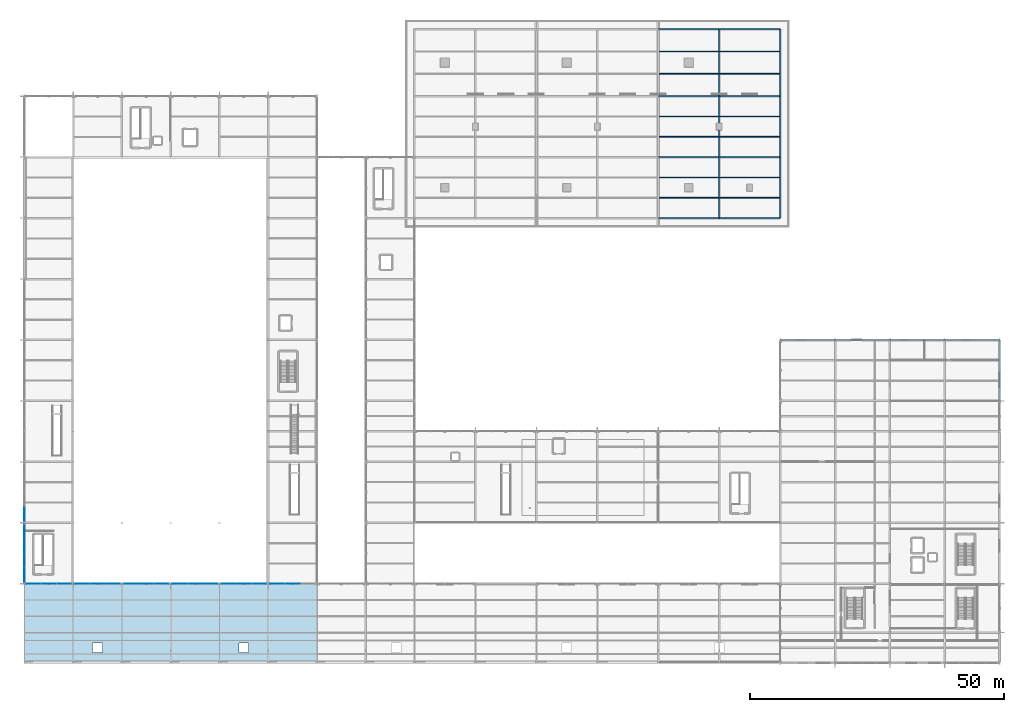
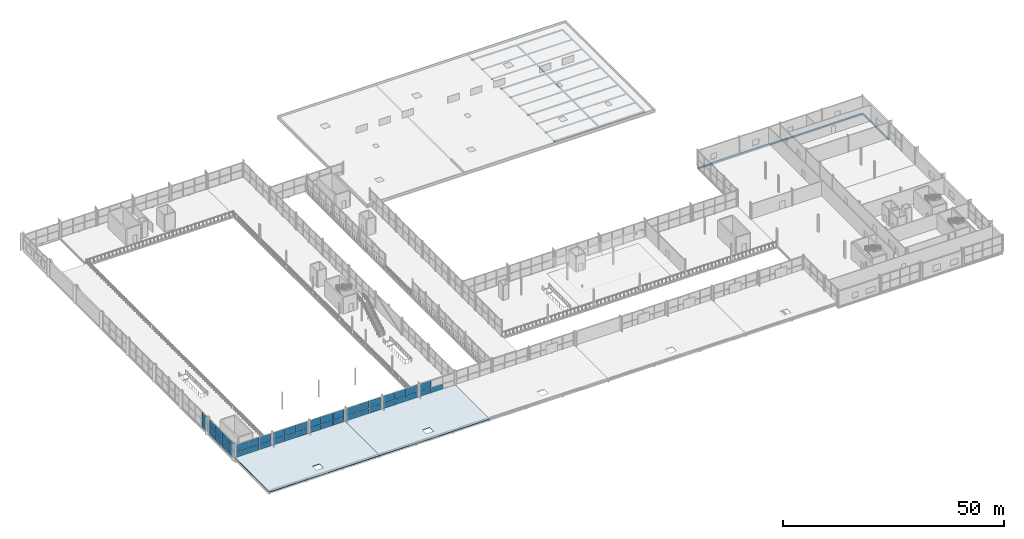
# One storey, part 119 of 159: 43 plates, 31 beams, 2 slabs, 8 elements without a shape of their own.
"""IFC4 building model written with IfcOpenShell, lengths in metres."""

from ifc_helpers import new_model, si_unit, direction, frame, origin, origin_2d, place, context, subcontext, project, spatial, polyline, rectangle, i_section, outline, extrude, material, layer, layer_set, material_profile, profile_set, type_object, element, aggregate, save


model = new_model("IFC4")

# Units and contexts
model_context = context("Model", 3, precision=1e-05, world=origin(), true_north=direction((0.0, 1.0)))
body_context = subcontext(model_context, "Body", "Model", "MODEL_VIEW")
ifc_project = project(units=[si_unit("LENGTHUNIT", "METRE"), si_unit("AREAUNIT", "SQUARE_METRE"), si_unit("VOLUMEUNIT", "CUBIC_METRE"), si_unit("PLANEANGLEUNIT", "RADIAN"), si_unit("MASSUNIT", "GRAM", prefix="KILO")], contexts=[model_context])

# Site, building, storey
site_placement = place(None, origin())
site = spatial("IfcSite", under=ifc_project, at=site_placement, CompositionType="ELEMENT")
building_placement = place(site_placement, origin())
building = spatial("IfcBuilding", under=site, at=building_placement, Name="Merenkruunu Market Hall", CompositionType="ELEMENT")
storey_placement = place(building_placement, frame((0.0, 0.0, 5.39990234375)))
storey = spatial("IfcBuildingStorey", under=building, at=storey_placement, Name="L01", CompositionType="ELEMENT", Elevation=5.39990234375)

# Beams
ifc_material_1 = material(Name="Steel S355J2", Category="steel")
ifc_material_profile_1 = material_profile(ifc_material_1, i_section(OverallWidth=0.300048828125, OverallDepth=0.449951171875, WebThickness=0.013916015625, FlangeThickness=0.02587890625, FilletRadius=0.027099609375, at=origin_2d()), Name="HEB 450")
ifc_profile_set_1 = profile_set([ifc_material_profile_1], Name="Steel S355J2")
beam_type_1 = type_object("IfcBeamType", Name="Primary Floor Girder B03", PredefinedType="BEAM", material=ifc_profile_set_1)
beam_1_placement = place(storey_placement, frame((148.800048828125, 63.60009765625, -0.5048828125), z_axis=(1.0, 0.0, 0.0), x_axis=(0.0, 1.0, 0.0)))
element("IfcBeam", 1, at=beam_1_placement, inside=storey, type_object=beam_type_1, Name="BM-L01-B03-0529", PredefinedType="BEAM", context=body_context, shape_type="SweptSolid", body=[
    extrude(i_section(OverallWidth=0.300048828125, OverallDepth=0.449951171875, WebThickness=0.013916015625, FlangeThickness=0.02587890625, FilletRadius=0.027099609375, at=origin_2d()), origin(), (0.0, 0.0, 1.0), 10.800048828125),
])
beam_2_placement = place(storey_placement, frame((159.60009765625, 63.60009765625, -0.5048828125), z_axis=(1.0, 0.0, 0.0), x_axis=(0.0, 1.0, 0.0)))
element("IfcBeam", 2, at=beam_2_placement, inside=storey, type_object=beam_type_1, Name="BM-L01-B03-0530", PredefinedType="BEAM", context=body_context, shape_type="SweptSolid", body=[
    extrude(i_section(OverallWidth=0.300048828125, OverallDepth=0.449951171875, WebThickness=0.013916015625, FlangeThickness=0.02587890625, FilletRadius=0.027099609375, at=origin_2d()), origin(), (0.0, 0.0, 1.0), 10.7998046875),
])
for number, where, z_axis, x_axis, name in (
    (3, (170.39990234375, 63.60009765625, -0.5048828125), (1.0, 0.0, 0.0), (0.0, 1.0, 0.0), "BM-L01-B03-0531"),
    (4, (181.199951171875, 63.60009765625, -0.5048828125), (1.0, 0.0, 0.0), (0.0, 1.0, 0.0), "BM-L01-B03-0532"),
):
    element("IfcBeam", number, at=place(storey_placement, frame(where, z_axis=z_axis, x_axis=x_axis)), inside=storey, type_object=beam_type_1, Name=name, PredefinedType="BEAM", context=body_context, shape_type="SweptSolid", body=[
        extrude(i_section(OverallWidth=0.300048828125, OverallDepth=0.449951171875, WebThickness=0.013916015625, FlangeThickness=0.02587890625, FilletRadius=0.027099609375, at=origin_2d()), origin(), (0.0, 0.0, 1.0), 10.800048828125),
    ])
ifc_material_profile_2 = material_profile(ifc_material_1, i_section(OverallWidth=0.300048828125, OverallDepth=0.360107421875, WebThickness=0.012451171875, FlangeThickness=0.0224609375, FilletRadius=0.027099609375, at=origin_2d()), Name="HEB 360")
ifc_profile_set_2 = profile_set([ifc_material_profile_2], Name="Steel S355J2")
beam_type_2 = type_object("IfcBeamType", Name="Primary Floor Girder B04", PredefinedType="BEAM", material=ifc_profile_set_2)
for number, where, z_axis, x_axis, name in (
    (5, (124.800048828125, 87.60009765625, 0.72021484375), (1.0, 0.0, 0.0), (0.0, 1.0, 0.0), "BM-L01-B04-0965"),
    (6, (136.800048828125, 87.60009765625, 0.72021484375), (1.0, 0.0, 0.0), (0.0, 1.0, 0.0), "BM-L01-B04-0966"),
    (7, (124.800048828125, 99.60009765625, 0.72021484375), (1.0, 0.0, 0.0), (0.0, 1.0, 0.0), "BM-L01-B04-0971"),
    (8, (136.800048828125, 99.60009765625, 0.72021484375), (1.0, 0.0, 0.0), (0.0, 1.0, 0.0), "BM-L01-B04-0972"),
    (9, (124.800048828125, 111.60009765625, 0.72021484375), (1.0, 0.0, 0.0), (0.0, 1.0, 0.0), "BM-L01-B04-0977"),
    (10, (136.800048828125, 111.60009765625, 0.72021484375), (1.0, 0.0, 0.0), (0.0, 1.0, 0.0), "BM-L01-B04-0978"),
    (11, (124.800048828125, 124.800048828125, 0.72021484375), (1.0, 0.0, 0.0), (0.0, 1.0, 0.0), "BM-L01-B04-0983"),
    (12, (136.800048828125, 124.800048828125, 0.72021484375), (1.0, 0.0, 0.0), (0.0, 1.0, 0.0), "BM-L01-B04-0984"),
    (13, (136.800048828125, 87.60009765625, 0.72021484375), (0.0, 1.0, 0.0), (-1.0, 0.0, 0.0), "BM-L01-B04-1000"),
    (14, (136.800048828125, 99.60009765625, 0.72021484375), (0.0, 1.0, 0.0), (-1.0, 0.0, 0.0), "BM-L01-B04-1001"),
):
    element("IfcBeam", number, at=place(storey_placement, frame(where, z_axis=z_axis, x_axis=x_axis)), inside=storey, type_object=beam_type_2, Name=name, PredefinedType="BEAM", context=body_context, shape_type="SweptSolid", body=[
        extrude(i_section(OverallWidth=0.300048828125, OverallDepth=0.360107421875, WebThickness=0.012451171875, FlangeThickness=0.0224609375, FilletRadius=0.027099609375, at=origin_2d()), origin(), (0.0, 0.0, 1.0), 12.0),
    ])
beam_3_placement = place(storey_placement, frame((136.800048828125, 111.60009765625, 0.72021484375), z_axis=(0.0, 1.0, 0.0), x_axis=(-1.0, 0.0, 0.0)))
element("IfcBeam", 15, at=beam_3_placement, inside=storey, type_object=beam_type_2, Name="BM-L01-B04-1002", PredefinedType="BEAM", context=body_context, shape_type="SweptSolid", body=[
    extrude(i_section(OverallWidth=0.300048828125, OverallDepth=0.360107421875, WebThickness=0.012451171875, FlangeThickness=0.0224609375, FilletRadius=0.027099609375, at=origin_2d()), origin(), (0.0, 0.0, 1.0), 13.199951171875),
])
for number, where, z_axis, x_axis, name in (
    (16, (148.800048828125, 87.60009765625, 0.72021484375), (0.0, 1.0, 0.0), (-1.0, 0.0, 0.0), "BM-L01-B04-1003"),
    (17, (148.800048828125, 99.60009765625, 0.72021484375), (0.0, 1.0, 0.0), (-1.0, 0.0, 0.0), "BM-L01-B04-1004"),
):
    element("IfcBeam", number, at=place(storey_placement, frame(where, z_axis=z_axis, x_axis=x_axis)), inside=storey, type_object=beam_type_2, Name=name, PredefinedType="BEAM", context=body_context, shape_type="SweptSolid", body=[
        extrude(i_section(OverallWidth=0.300048828125, OverallDepth=0.360107421875, WebThickness=0.012451171875, FlangeThickness=0.0224609375, FilletRadius=0.027099609375, at=origin_2d()), origin(), (0.0, 0.0, 1.0), 12.0),
    ])
beam_4_placement = place(storey_placement, frame((148.800048828125, 111.60009765625, 0.72021484375), z_axis=(0.0, 1.0, 0.0), x_axis=(-1.0, 0.0, 0.0)))
element("IfcBeam", 18, at=beam_4_placement, inside=storey, type_object=beam_type_2, Name="BM-L01-B04-1005", PredefinedType="BEAM", context=body_context, shape_type="SweptSolid", body=[
    extrude(i_section(OverallWidth=0.300048828125, OverallDepth=0.360107421875, WebThickness=0.012451171875, FlangeThickness=0.0224609375, FilletRadius=0.027099609375, at=origin_2d()), origin(), (0.0, 0.0, 1.0), 13.199951171875),
])
ifc_material_profile_3 = material_profile(ifc_material_1, i_section(OverallWidth=0.300048828125, OverallDepth=0.35009765625, WebThickness=0.010009765625, FlangeThickness=0.017578125, FilletRadius=0.027099609375, at=origin_2d()), Name="HEA 360")
ifc_profile_set_3 = profile_set([ifc_material_profile_3], Name="Steel S355J2")
beam_type_3 = type_object("IfcBeamType", Name="Primary Floor Girder B08", PredefinedType="BEAM", material=ifc_profile_set_3)
beam_5_placement = place(storey_placement, frame((192.0, 51.60009765625, -0.454833984375), z_axis=(0.0, 1.0, 0.0), x_axis=(-1.0, 0.0, 0.0)))
element("IfcBeam", 19, at=beam_5_placement, inside=storey, type_object=beam_type_3, Name="BM-L01-B08-0649", PredefinedType="BEAM", context=body_context, shape_type="SweptSolid", body=[
    extrude(i_section(OverallWidth=0.300048828125, OverallDepth=0.35009765625, WebThickness=0.010009765625, FlangeThickness=0.017578125, FilletRadius=0.027099609375, at=origin_2d()), origin(), (0.0, 0.0, 1.0), 12.0),
])
ifc_material_profile_4 = material_profile(ifc_material_1, i_section(OverallWidth=0.169921875, OverallDepth=0.360107421875, WebThickness=0.008056640625, FlangeThickness=0.0126953125, FilletRadius=0.01806640625, at=origin_2d()), Name="IPE 360")
ifc_profile_set_4 = profile_set([ifc_material_profile_4], Name="Steel S355J2")
beam_type_4 = type_object("IfcBeamType", Name="Secondary Floor Joist J03", PredefinedType="JOIST", material=ifc_profile_set_4)
for number, where, z_axis, x_axis, name in (
    (20, (124.952880859375, 91.60009765625, 0.72021484375), (1.0, 0.0, 0.0), (0.0, 1.0, 0.0), "BM-L01-J03-1030"),
    (21, (124.952880859375, 95.60009765625, 0.72021484375), (1.0, 0.0, 0.0), (0.0, 1.0, 0.0), "BM-L01-J03-1031"),
    (22, (124.952880859375, 103.60009765625, 0.72021484375), (1.0, 0.0, 0.0), (0.0, 1.0, 0.0), "BM-L01-J03-1032"),
    (23, (124.952880859375, 107.60009765625, 0.72021484375), (1.0, 0.0, 0.0), (0.0, 1.0, 0.0), "BM-L01-J03-1033"),
    (24, (124.952880859375, 116.0, 0.72021484375), (1.0, 0.0, 0.0), (0.0, 1.0, 0.0), "BM-L01-J03-1034"),
    (25, (124.952880859375, 120.39990234375, 0.72021484375), (1.0, 0.0, 0.0), (0.0, 1.0, 0.0), "BM-L01-J03-1035"),
    (26, (136.952880859375, 91.60009765625, 0.72021484375), (1.0, 0.0, 0.0), (0.0, 1.0, 0.0), "BM-L01-J03-1036"),
    (27, (136.952880859375, 95.60009765625, 0.72021484375), (1.0, 0.0, 0.0), (0.0, 1.0, 0.0), "BM-L01-J03-1037"),
    (28, (136.952880859375, 103.60009765625, 0.72021484375), (1.0, 0.0, 0.0), (0.0, 1.0, 0.0), "BM-L01-J03-1038"),
    (29, (136.952880859375, 107.60009765625, 0.72021484375), (1.0, 0.0, 0.0), (0.0, 1.0, 0.0), "BM-L01-J03-1039"),
    (30, (136.952880859375, 116.0, 0.72021484375), (1.0, 0.0, 0.0), (0.0, 1.0, 0.0), "BM-L01-J03-1040"),
    (31, (136.952880859375, 120.39990234375, 0.72021484375), (1.0, 0.0, 0.0), (0.0, 1.0, 0.0), "BM-L01-J03-1041"),
):
    element("IfcBeam", number, at=place(storey_placement, frame(where, z_axis=z_axis, x_axis=x_axis)), inside=storey, type_object=beam_type_4, Name=name, PredefinedType="JOIST", context=body_context, shape_type="SweptSolid", body=[
        extrude(i_section(OverallWidth=0.169921875, OverallDepth=0.360107421875, WebThickness=0.008056640625, FlangeThickness=0.0126953125, FilletRadius=0.01806640625, at=origin_2d()), origin(), (0.0, 0.0, 1.0), 11.694091796875),
    ])

# Curtain wall, plates
ifc_material_2 = material(Name="Powder-coated aluminium", Category="aluminium")
curtain_wall_type_1 = type_object("IfcCurtainWallType", Name="Glazed Curtain Wall CW02", PredefinedType="USERDEFINED", material=ifc_material_2)
curtain_wall_1_placement = place(storey_placement, origin())
curtain_wall_1 = element("IfcCurtainWall", 32, at=curtain_wall_1_placement, inside=storey, type_object=curtain_wall_type_1, Name="CW-L01-CWM02-002", ObjectType="GLAZED_FACADE", PredefinedType="USERDEFINED")
ifc_material_3 = material(Name="Triple low-E insulated glass", Category="glass")
ifc_layer_1 = layer(ifc_material_3, 0.035888671875)
ifc_layer_set_1 = layer_set([ifc_layer_1], Name="Triple low-E insulated glass")
plate_type = type_object("IfcPlateType", Name="Curtain Wall Glazing Panel CWP02", PredefinedType="CURTAIN_PANEL", material=ifc_layer_set_1)
plate_1_placement = place(storey_placement, frame((0.0, 17.324951171875, 0.06005859375), z_axis=(0.0, 0.0, 1.0), x_axis=(0.0, 1.0, 0.0)))
plate_1 = element("IfcPlate", 33, at=plate_1_placement, type_object=plate_type, Name="CW02 panel 1.1", PredefinedType="CURTAIN_PANEL", context=body_context, shape_type="SweptSolid", body=[
    extrude(rectangle(XDim=2.77001953125, YDim=0.035888671875, at=origin_2d()), origin(), (0.0, 0.0, 1.0), 2.034912109375),
])
plate_2_placement = place(storey_placement, frame((0.0, 17.324951171875, 2.1552734375), z_axis=(0.0, 0.0, 1.0), x_axis=(0.0, 1.0, 0.0)))
plate_2 = element("IfcPlate", 34, at=plate_2_placement, type_object=plate_type, Name="CW02 panel 1.2", PredefinedType="CURTAIN_PANEL", context=body_context, shape_type="SweptSolid", body=[
    extrude(rectangle(XDim=2.77001953125, YDim=0.035888671875, at=origin_2d()), origin(), (0.0, 0.0, 1.0), 2.034912109375),
])
plate_3_placement = place(storey_placement, frame((0.0, 20.169921875, 0.06005859375), z_axis=(0.0, 0.0, 1.0), x_axis=(0.0, 1.0, 0.0)))
plate_3 = element("IfcPlate", 35, at=plate_3_placement, type_object=plate_type, Name="CW02 panel 2.1", PredefinedType="CURTAIN_PANEL", context=body_context, shape_type="SweptSolid", body=[
    extrude(rectangle(XDim=2.800048828125, YDim=0.035888671875, at=origin_2d()), origin(), (0.0, 0.0, 1.0), 2.034912109375),
])
plate_4_placement = place(storey_placement, frame((0.0, 20.169921875, 2.1552734375), z_axis=(0.0, 0.0, 1.0), x_axis=(0.0, 1.0, 0.0)))
plate_4 = element("IfcPlate", 36, at=plate_4_placement, type_object=plate_type, Name="CW02 panel 2.2", PredefinedType="CURTAIN_PANEL", context=body_context, shape_type="SweptSolid", body=[
    extrude(rectangle(XDim=2.800048828125, YDim=0.035888671875, at=origin_2d()), origin(), (0.0, 0.0, 1.0), 2.034912109375),
])
plate_5_placement = place(storey_placement, frame((0.0, 23.030029296875, 0.06005859375), z_axis=(0.0, 0.0, 1.0), x_axis=(0.0, 1.0, 0.0)))
plate_5 = element("IfcPlate", 37, at=plate_5_placement, type_object=plate_type, Name="CW02 panel 3.1", PredefinedType="CURTAIN_PANEL", context=body_context, shape_type="SweptSolid", body=[
    extrude(rectangle(XDim=2.800048828125, YDim=0.035888671875, at=origin_2d()), origin(), (0.0, 0.0, 1.0), 2.034912109375),
])
plate_6_placement = place(storey_placement, frame((0.0, 23.030029296875, 2.1552734375), z_axis=(0.0, 0.0, 1.0), x_axis=(0.0, 1.0, 0.0)))
plate_6 = element("IfcPlate", 38, at=plate_6_placement, type_object=plate_type, Name="CW02 panel 3.2", PredefinedType="CURTAIN_PANEL", context=body_context, shape_type="SweptSolid", body=[
    extrude(rectangle(XDim=2.800048828125, YDim=0.035888671875, at=origin_2d()), origin(), (0.0, 0.0, 1.0), 2.034912109375),
])
plate_7_placement = place(storey_placement, frame((0.0, 25.875, 0.06005859375), z_axis=(0.0, 0.0, 1.0), x_axis=(0.0, 1.0, 0.0)))
plate_7 = element("IfcPlate", 39, at=plate_7_placement, type_object=plate_type, Name="CW02 panel 4.1", PredefinedType="CURTAIN_PANEL", context=body_context, shape_type="SweptSolid", body=[
    extrude(rectangle(XDim=2.77001953125, YDim=0.035888671875, at=origin_2d()), origin(), (0.0, 0.0, 1.0), 2.034912109375),
])
plate_8_placement = place(storey_placement, frame((0.0, 25.875, 2.1552734375), z_axis=(0.0, 0.0, 1.0), x_axis=(0.0, 1.0, 0.0)))
plate_8 = element("IfcPlate", 40, at=plate_8_placement, type_object=plate_type, Name="CW02 panel 4.2", PredefinedType="CURTAIN_PANEL", context=body_context, shape_type="SweptSolid", body=[
    extrude(rectangle(XDim=2.77001953125, YDim=0.035888671875, at=origin_2d()), origin(), (0.0, 0.0, 1.0), 2.034912109375),
])
aggregate(curtain_wall_1, [plate_1, plate_2, plate_3, plate_4, plate_5, plate_6, plate_7, plate_8])

curtain_wall_2_placement = place(storey_placement, origin())
curtain_wall_2 = element("IfcCurtainWall", 41, at=curtain_wall_2_placement, inside=storey, type_object=curtain_wall_type_1, Name="CW-L01-CWM02-005", ObjectType="GLAZED_FACADE", PredefinedType="USERDEFINED")
plate_9_placement = place(storey_placement, frame((0.0, 29.324951171875, 0.06005859375), z_axis=(0.0, 0.0, 1.0), x_axis=(0.0, 1.0, 0.0)))
plate_9 = element("IfcPlate", 42, at=plate_9_placement, type_object=plate_type, Name="CW02 panel 1.1", PredefinedType="CURTAIN_PANEL", context=body_context, shape_type="SweptSolid", body=[
    extrude(rectangle(XDim=2.77001953125, YDim=0.035888671875, at=origin_2d()), origin(), (0.0, 0.0, 1.0), 2.034912109375),
])
plate_10_placement = place(storey_placement, frame((0.0, 29.324951171875, 2.1552734375), z_axis=(0.0, 0.0, 1.0), x_axis=(0.0, 1.0, 0.0)))
plate_10 = element("IfcPlate", 43, at=plate_10_placement, type_object=plate_type, Name="CW02 panel 1.2", PredefinedType="CURTAIN_PANEL", context=body_context, shape_type="SweptSolid", body=[
    extrude(rectangle(XDim=2.77001953125, YDim=0.035888671875, at=origin_2d()), origin(), (0.0, 0.0, 1.0), 2.034912109375),
])
aggregate(curtain_wall_2, [plate_9, plate_10])

curtain_wall_type_2 = type_object("IfcCurtainWallType", Name="Glazed Curtain Wall CW09", PredefinedType="USERDEFINED", material=ifc_material_2)
curtain_wall_3_placement = place(storey_placement, origin())
curtain_wall_3 = element("IfcCurtainWall", 44, at=curtain_wall_3_placement, inside=storey, type_object=curtain_wall_type_2, Name="CW-L01-CWM02-020", ObjectType="GLAZED_FACADE", PredefinedType="USERDEFINED")
plate_11_placement = place(storey_placement, frame((7.79833984375, 15.60009765625, 0.06005859375), z_axis=(0.0, 0.0, 1.0), x_axis=(-1.0, 0.0, 0.0)))
plate_11 = element("IfcPlate", 45, at=plate_11_placement, type_object=plate_type, Name="CW09 panel 1.1", PredefinedType="CURTAIN_PANEL", context=body_context, shape_type="SweptSolid", body=[
    extrude(rectangle(XDim=2.92333984375, YDim=0.035888671875, at=origin_2d()), origin(), (0.0, 0.0, 1.0), 1.9599609375),
])
plate_12_placement = place(storey_placement, frame((7.79833984375, 15.60009765625, 2.080078125), z_axis=(0.0, 0.0, 1.0), x_axis=(-1.0, 0.0, 0.0)))
plate_12 = element("IfcPlate", 46, at=plate_12_placement, type_object=plate_type, Name="CW09 panel 1.2", PredefinedType="CURTAIN_PANEL", context=body_context, shape_type="SweptSolid", body=[
    extrude(rectangle(XDim=2.92333984375, YDim=0.035888671875, at=origin_2d()), origin(), (0.0, 0.0, 1.0), 1.9599609375),
])
plate_13_placement = place(storey_placement, frame((4.800048828125, 15.60009765625, 0.06005859375), z_axis=(0.0, 0.0, 1.0), x_axis=(-1.0, 0.0, 0.0)))
plate_13 = element("IfcPlate", 47, at=plate_13_placement, type_object=plate_type, Name="CW09 panel 2.1", PredefinedType="CURTAIN_PANEL", context=body_context, shape_type="SweptSolid", body=[
    extrude(rectangle(XDim=2.953369140625, YDim=0.035888671875, at=origin_2d()), origin(), (0.0, 0.0, 1.0), 1.9599609375),
])
plate_14_placement = place(storey_placement, frame((4.800048828125, 15.60009765625, 2.080078125), z_axis=(0.0, 0.0, 1.0), x_axis=(-1.0, 0.0, 0.0)))
plate_14 = element("IfcPlate", 48, at=plate_14_placement, type_object=plate_type, Name="CW09 panel 2.2", PredefinedType="CURTAIN_PANEL", context=body_context, shape_type="SweptSolid", body=[
    extrude(rectangle(XDim=2.953369140625, YDim=0.035888671875, at=origin_2d()), origin(), (0.0, 0.0, 1.0), 1.9599609375),
])
plate_15_placement = place(storey_placement, frame((1.8017578125, 15.60009765625, 0.06005859375), z_axis=(0.0, 0.0, 1.0), x_axis=(-1.0, 0.0, 0.0)))
plate_15 = element("IfcPlate", 49, at=plate_15_placement, type_object=plate_type, Name="CW09 panel 3.1", PredefinedType="CURTAIN_PANEL", context=body_context, shape_type="SweptSolid", body=[
    extrude(rectangle(XDim=2.92333984375, YDim=0.035888671875, at=origin_2d()), origin(), (0.0, 0.0, 1.0), 1.9599609375),
])
plate_16_placement = place(storey_placement, frame((1.8017578125, 15.60009765625, 2.080078125), z_axis=(0.0, 0.0, 1.0), x_axis=(-1.0, 0.0, 0.0)))
plate_16 = element("IfcPlate", 50, at=plate_16_placement, type_object=plate_type, Name="CW09 panel 3.2", PredefinedType="CURTAIN_PANEL", context=body_context, shape_type="SweptSolid", body=[
    extrude(rectangle(XDim=2.92333984375, YDim=0.035888671875, at=origin_2d()), origin(), (0.0, 0.0, 1.0), 1.9599609375),
])
aggregate(curtain_wall_3, [plate_11, plate_12, plate_13, plate_14, plate_15, plate_16])

curtain_wall_4_placement = place(storey_placement, origin())
curtain_wall_4 = element("IfcCurtainWall", 51, at=curtain_wall_4_placement, inside=storey, type_object=curtain_wall_type_2, Name="CW-L01-CWM02-023", ObjectType="GLAZED_FACADE", PredefinedType="USERDEFINED")
plate_17_placement = place(storey_placement, frame((17.3984375, 15.60009765625, 0.06005859375), z_axis=(0.0, 0.0, 1.0), x_axis=(-1.0, 0.0, 0.0)))
plate_17 = element("IfcPlate", 52, at=plate_17_placement, type_object=plate_type, Name="CW09 panel 1.1", PredefinedType="CURTAIN_PANEL", context=body_context, shape_type="SweptSolid", body=[
    extrude(rectangle(XDim=2.92333984375, YDim=0.035888671875, at=origin_2d()), origin(), (0.0, 0.0, 1.0), 1.9599609375),
])
plate_18_placement = place(storey_placement, frame((17.3984375, 15.60009765625, 2.080078125), z_axis=(0.0, 0.0, 1.0), x_axis=(-1.0, 0.0, 0.0)))
plate_18 = element("IfcPlate", 53, at=plate_18_placement, type_object=plate_type, Name="CW09 panel 1.2", PredefinedType="CURTAIN_PANEL", context=body_context, shape_type="SweptSolid", body=[
    extrude(rectangle(XDim=2.92333984375, YDim=0.035888671875, at=origin_2d()), origin(), (0.0, 0.0, 1.0), 1.9599609375),
])
plate_19_placement = place(storey_placement, frame((14.39990234375, 15.60009765625, 0.06005859375), z_axis=(0.0, 0.0, 1.0), x_axis=(-1.0, 0.0, 0.0)))
plate_19 = element("IfcPlate", 54, at=plate_19_placement, type_object=plate_type, Name="CW09 panel 2.1", PredefinedType="CURTAIN_PANEL", context=body_context, shape_type="SweptSolid", body=[
    extrude(rectangle(XDim=2.953369140625, YDim=0.035888671875, at=origin_2d()), origin(), (0.0, 0.0, 1.0), 1.9599609375),
])
plate_20_placement = place(storey_placement, frame((14.39990234375, 15.60009765625, 2.080078125), z_axis=(0.0, 0.0, 1.0), x_axis=(-1.0, 0.0, 0.0)))
plate_20 = element("IfcPlate", 55, at=plate_20_placement, type_object=plate_type, Name="CW09 panel 2.2", PredefinedType="CURTAIN_PANEL", context=body_context, shape_type="SweptSolid", body=[
    extrude(rectangle(XDim=2.953369140625, YDim=0.035888671875, at=origin_2d()), origin(), (0.0, 0.0, 1.0), 1.9599609375),
])
plate_21_placement = place(storey_placement, frame((11.401611328125, 15.60009765625, 0.06005859375), z_axis=(0.0, 0.0, 1.0), x_axis=(-1.0, 0.0, 0.0)))
plate_21 = element("IfcPlate", 56, at=plate_21_placement, type_object=plate_type, Name="CW09 panel 3.1", PredefinedType="CURTAIN_PANEL", context=body_context, shape_type="SweptSolid", body=[
    extrude(rectangle(XDim=2.92333984375, YDim=0.035888671875, at=origin_2d()), origin(), (0.0, 0.0, 1.0), 1.9599609375),
])
plate_22_placement = place(storey_placement, frame((11.401611328125, 15.60009765625, 2.080078125), z_axis=(0.0, 0.0, 1.0), x_axis=(-1.0, 0.0, 0.0)))
plate_22 = element("IfcPlate", 57, at=plate_22_placement, type_object=plate_type, Name="CW09 panel 3.2", PredefinedType="CURTAIN_PANEL", context=body_context, shape_type="SweptSolid", body=[
    extrude(rectangle(XDim=2.92333984375, YDim=0.035888671875, at=origin_2d()), origin(), (0.0, 0.0, 1.0), 1.9599609375),
])
aggregate(curtain_wall_4, [plate_17, plate_18, plate_19, plate_20, plate_21, plate_22])

curtain_wall_5_placement = place(storey_placement, origin())
curtain_wall_5 = element("IfcCurtainWall", 58, at=curtain_wall_5_placement, inside=storey, type_object=curtain_wall_type_2, Name="CW-L01-CWM02-026", ObjectType="GLAZED_FACADE", PredefinedType="USERDEFINED")
plate_23_placement = place(storey_placement, frame((26.998291015625, 15.60009765625, 0.06005859375), z_axis=(0.0, 0.0, 1.0), x_axis=(-1.0, 0.0, 0.0)))
plate_23 = element("IfcPlate", 59, at=plate_23_placement, type_object=plate_type, Name="CW09 panel 1.1", PredefinedType="CURTAIN_PANEL", context=body_context, shape_type="SweptSolid", body=[
    extrude(rectangle(XDim=2.92333984375, YDim=0.035888671875, at=origin_2d()), origin(), (0.0, 0.0, 1.0), 1.9599609375),
])
plate_24_placement = place(storey_placement, frame((26.998291015625, 15.60009765625, 2.080078125), z_axis=(0.0, 0.0, 1.0), x_axis=(-1.0, 0.0, 0.0)))
plate_24 = element("IfcPlate", 60, at=plate_24_placement, type_object=plate_type, Name="CW09 panel 1.2", PredefinedType="CURTAIN_PANEL", context=body_context, shape_type="SweptSolid", body=[
    extrude(rectangle(XDim=2.92333984375, YDim=0.035888671875, at=origin_2d()), origin(), (0.0, 0.0, 1.0), 1.9599609375),
])
plate_25_placement = place(storey_placement, frame((24.0, 15.60009765625, 0.06005859375), z_axis=(0.0, 0.0, 1.0), x_axis=(-1.0, 0.0, 0.0)))
plate_25 = element("IfcPlate", 61, at=plate_25_placement, type_object=plate_type, Name="CW09 panel 2.1", PredefinedType="CURTAIN_PANEL", context=body_context, shape_type="SweptSolid", body=[
    extrude(rectangle(XDim=2.953369140625, YDim=0.035888671875, at=origin_2d()), origin(), (0.0, 0.0, 1.0), 1.9599609375),
])
plate_26_placement = place(storey_placement, frame((24.0, 15.60009765625, 2.080078125), z_axis=(0.0, 0.0, 1.0), x_axis=(-1.0, 0.0, 0.0)))
plate_26 = element("IfcPlate", 62, at=plate_26_placement, type_object=plate_type, Name="CW09 panel 2.2", PredefinedType="CURTAIN_PANEL", context=body_context, shape_type="SweptSolid", body=[
    extrude(rectangle(XDim=2.953369140625, YDim=0.035888671875, at=origin_2d()), origin(), (0.0, 0.0, 1.0), 1.9599609375),
])
plate_27_placement = place(storey_placement, frame((21.001708984375, 15.60009765625, 0.06005859375), z_axis=(0.0, 0.0, 1.0), x_axis=(-1.0, 0.0, 0.0)))
plate_27 = element("IfcPlate", 63, at=plate_27_placement, type_object=plate_type, Name="CW09 panel 3.1", PredefinedType="CURTAIN_PANEL", context=body_context, shape_type="SweptSolid", body=[
    extrude(rectangle(XDim=2.92333984375, YDim=0.035888671875, at=origin_2d()), origin(), (0.0, 0.0, 1.0), 1.9599609375),
])
plate_28_placement = place(storey_placement, frame((21.001708984375, 15.60009765625, 2.080078125), z_axis=(0.0, 0.0, 1.0), x_axis=(-1.0, 0.0, 0.0)))
plate_28 = element("IfcPlate", 64, at=plate_28_placement, type_object=plate_type, Name="CW09 panel 3.2", PredefinedType="CURTAIN_PANEL", context=body_context, shape_type="SweptSolid", body=[
    extrude(rectangle(XDim=2.92333984375, YDim=0.035888671875, at=origin_2d()), origin(), (0.0, 0.0, 1.0), 1.9599609375),
])
aggregate(curtain_wall_5, [plate_23, plate_24, plate_25, plate_26, plate_27, plate_28])

curtain_wall_6_placement = place(storey_placement, origin())
curtain_wall_6 = element("IfcCurtainWall", 65, at=curtain_wall_6_placement, inside=storey, type_object=curtain_wall_type_2, Name="CW-L01-CWM02-029", ObjectType="GLAZED_FACADE", PredefinedType="USERDEFINED")
plate_29_placement = place(storey_placement, frame((36.598388671875, 15.60009765625, 0.06005859375), z_axis=(0.0, 0.0, 1.0), x_axis=(-1.0, 0.0, 0.0)))
plate_29 = element("IfcPlate", 66, at=plate_29_placement, type_object=plate_type, Name="CW09 panel 1.1", PredefinedType="CURTAIN_PANEL", context=body_context, shape_type="SweptSolid", body=[
    extrude(rectangle(XDim=2.92333984375, YDim=0.035888671875, at=origin_2d()), origin(), (0.0, 0.0, 1.0), 1.9599609375),
])
plate_30_placement = place(storey_placement, frame((36.598388671875, 15.60009765625, 2.080078125), z_axis=(0.0, 0.0, 1.0), x_axis=(-1.0, 0.0, 0.0)))
plate_30 = element("IfcPlate", 67, at=plate_30_placement, type_object=plate_type, Name="CW09 panel 1.2", PredefinedType="CURTAIN_PANEL", context=body_context, shape_type="SweptSolid", body=[
    extrude(rectangle(XDim=2.92333984375, YDim=0.035888671875, at=origin_2d()), origin(), (0.0, 0.0, 1.0), 1.9599609375),
])
plate_31_placement = place(storey_placement, frame((33.60009765625, 15.60009765625, 0.06005859375), z_axis=(0.0, 0.0, 1.0), x_axis=(-1.0, 0.0, 0.0)))
plate_31 = element("IfcPlate", 68, at=plate_31_placement, type_object=plate_type, Name="CW09 panel 2.1", PredefinedType="CURTAIN_PANEL", context=body_context, shape_type="SweptSolid", body=[
    extrude(rectangle(XDim=2.953369140625, YDim=0.035888671875, at=origin_2d()), origin(), (0.0, 0.0, 1.0), 1.9599609375),
])
plate_32_placement = place(storey_placement, frame((33.60009765625, 15.60009765625, 2.080078125), z_axis=(0.0, 0.0, 1.0), x_axis=(-1.0, 0.0, 0.0)))
plate_32 = element("IfcPlate", 69, at=plate_32_placement, type_object=plate_type, Name="CW09 panel 2.2", PredefinedType="CURTAIN_PANEL", context=body_context, shape_type="SweptSolid", body=[
    extrude(rectangle(XDim=2.953369140625, YDim=0.035888671875, at=origin_2d()), origin(), (0.0, 0.0, 1.0), 1.9599609375),
])
plate_33_placement = place(storey_placement, frame((30.6015625, 15.60009765625, 0.06005859375), z_axis=(0.0, 0.0, 1.0), x_axis=(-1.0, 0.0, 0.0)))
plate_33 = element("IfcPlate", 70, at=plate_33_placement, type_object=plate_type, Name="CW09 panel 3.1", PredefinedType="CURTAIN_PANEL", context=body_context, shape_type="SweptSolid", body=[
    extrude(rectangle(XDim=2.92333984375, YDim=0.035888671875, at=origin_2d()), origin(), (0.0, 0.0, 1.0), 1.9599609375),
])
plate_34_placement = place(storey_placement, frame((30.6015625, 15.60009765625, 2.080078125), z_axis=(0.0, 0.0, 1.0), x_axis=(-1.0, 0.0, 0.0)))
plate_34 = element("IfcPlate", 71, at=plate_34_placement, type_object=plate_type, Name="CW09 panel 3.2", PredefinedType="CURTAIN_PANEL", context=body_context, shape_type="SweptSolid", body=[
    extrude(rectangle(XDim=2.92333984375, YDim=0.035888671875, at=origin_2d()), origin(), (0.0, 0.0, 1.0), 1.9599609375),
])
aggregate(curtain_wall_6, [plate_29, plate_30, plate_31, plate_32, plate_33, plate_34])

curtain_wall_7_placement = place(storey_placement, origin())
curtain_wall_7 = element("IfcCurtainWall", 72, at=curtain_wall_7_placement, inside=storey, type_object=curtain_wall_type_2, Name="CW-L01-CWM02-032", ObjectType="GLAZED_FACADE", PredefinedType="USERDEFINED")
plate_35_placement = place(storey_placement, frame((46.1982421875, 15.60009765625, 0.06005859375), z_axis=(0.0, 0.0, 1.0), x_axis=(-1.0, 0.0, 0.0)))
plate_35 = element("IfcPlate", 73, at=plate_35_placement, type_object=plate_type, Name="CW09 panel 1.1", PredefinedType="CURTAIN_PANEL", context=body_context, shape_type="SweptSolid", body=[
    extrude(rectangle(XDim=2.92333984375, YDim=0.035888671875, at=origin_2d()), origin(), (0.0, 0.0, 1.0), 1.9599609375),
])
plate_36_placement = place(storey_placement, frame((46.1982421875, 15.60009765625, 2.080078125), z_axis=(0.0, 0.0, 1.0), x_axis=(-1.0, 0.0, 0.0)))
plate_36 = element("IfcPlate", 74, at=plate_36_placement, type_object=plate_type, Name="CW09 panel 1.2", PredefinedType="CURTAIN_PANEL", context=body_context, shape_type="SweptSolid", body=[
    extrude(rectangle(XDim=2.92333984375, YDim=0.035888671875, at=origin_2d()), origin(), (0.0, 0.0, 1.0), 1.9599609375),
])
plate_37_placement = place(storey_placement, frame((43.199951171875, 15.60009765625, 0.06005859375), z_axis=(0.0, 0.0, 1.0), x_axis=(-1.0, 0.0, 0.0)))
plate_37 = element("IfcPlate", 75, at=plate_37_placement, type_object=plate_type, Name="CW09 panel 2.1", PredefinedType="CURTAIN_PANEL", context=body_context, shape_type="SweptSolid", body=[
    extrude(rectangle(XDim=2.953369140625, YDim=0.035888671875, at=origin_2d()), origin(), (0.0, 0.0, 1.0), 1.9599609375),
])
plate_38_placement = place(storey_placement, frame((43.199951171875, 15.60009765625, 2.080078125), z_axis=(0.0, 0.0, 1.0), x_axis=(-1.0, 0.0, 0.0)))
plate_38 = element("IfcPlate", 76, at=plate_38_placement, type_object=plate_type, Name="CW09 panel 2.2", PredefinedType="CURTAIN_PANEL", context=body_context, shape_type="SweptSolid", body=[
    extrude(rectangle(XDim=2.953369140625, YDim=0.035888671875, at=origin_2d()), origin(), (0.0, 0.0, 1.0), 1.9599609375),
])
plate_39_placement = place(storey_placement, frame((40.20166015625, 15.60009765625, 0.06005859375), z_axis=(0.0, 0.0, 1.0), x_axis=(-1.0, 0.0, 0.0)))
plate_39 = element("IfcPlate", 77, at=plate_39_placement, type_object=plate_type, Name="CW09 panel 3.1", PredefinedType="CURTAIN_PANEL", context=body_context, shape_type="SweptSolid", body=[
    extrude(rectangle(XDim=2.92333984375, YDim=0.035888671875, at=origin_2d()), origin(), (0.0, 0.0, 1.0), 1.9599609375),
])
plate_40_placement = place(storey_placement, frame((40.20166015625, 15.60009765625, 2.080078125), z_axis=(0.0, 0.0, 1.0), x_axis=(-1.0, 0.0, 0.0)))
plate_40 = element("IfcPlate", 78, at=plate_40_placement, type_object=plate_type, Name="CW09 panel 3.2", PredefinedType="CURTAIN_PANEL", context=body_context, shape_type="SweptSolid", body=[
    extrude(rectangle(XDim=2.92333984375, YDim=0.035888671875, at=origin_2d()), origin(), (0.0, 0.0, 1.0), 1.9599609375),
])
aggregate(curtain_wall_7, [plate_35, plate_36, plate_37, plate_38, plate_39, plate_40])

curtain_wall_8_placement = place(storey_placement, origin())
curtain_wall_8 = element("IfcCurtainWall", 79, at=curtain_wall_8_placement, inside=storey, type_object=curtain_wall_type_2, Name="CW-L01-CWM02-035", ObjectType="GLAZED_FACADE", PredefinedType="USERDEFINED")
plate_41_placement = place(storey_placement, frame((52.800048828125, 15.60009765625, 0.06005859375), z_axis=(0.0, 0.0, 1.0), x_axis=(-1.0, 0.0, 0.0)))
plate_41 = element("IfcPlate", 80, at=plate_41_placement, type_object=plate_type, Name="CW09 panel 2.1", PredefinedType="CURTAIN_PANEL", context=body_context, shape_type="SweptSolid", body=[
    extrude(rectangle(XDim=2.953369140625, YDim=0.035888671875, at=origin_2d()), origin(), (0.0, 0.0, 1.0), 1.9599609375),
])
plate_42_placement = place(storey_placement, frame((49.8017578125, 15.60009765625, 0.06005859375), z_axis=(0.0, 0.0, 1.0), x_axis=(-1.0, 0.0, 0.0)))
plate_42 = element("IfcPlate", 81, at=plate_42_placement, type_object=plate_type, Name="CW09 panel 3.1", PredefinedType="CURTAIN_PANEL", context=body_context, shape_type="SweptSolid", body=[
    extrude(rectangle(XDim=2.92333984375, YDim=0.035888671875, at=origin_2d()), origin(), (0.0, 0.0, 1.0), 1.9599609375),
])
plate_43_placement = place(storey_placement, frame((49.8017578125, 15.60009765625, 2.080078125), z_axis=(0.0, 0.0, 1.0), x_axis=(-1.0, 0.0, 0.0)))
plate_43 = element("IfcPlate", 82, at=plate_43_placement, type_object=plate_type, Name="CW09 panel 3.2", PredefinedType="CURTAIN_PANEL", context=body_context, shape_type="SweptSolid", body=[
    extrude(rectangle(XDim=2.92333984375, YDim=0.035888671875, at=origin_2d()), origin(), (0.0, 0.0, 1.0), 1.9599609375),
])
aggregate(curtain_wall_8, [plate_41, plate_42, plate_43])

# Slabs
ifc_material_4 = material(Name="White boulevard canopy Steel S355ML", Category="steel")
ifc_layer_2 = layer(ifc_material_4, 0.159912109375)
ifc_layer_set_2 = layer_set([ifc_layer_2], Name="White boulevard canopy Steel S355ML")
slab_type = type_object("IfcSlabType", Name="Sloped Or Flat Roof Deck RS04", PredefinedType="ROOF", material=ifc_layer_set_2)
slab_1_placement = place(storey_placement, frame((0.0, 0.0, 0.440185546875)))
element("IfcSlab", 83, at=slab_1_placement, inside=storey, type_object=slab_type, Name="SL-ROOF-V6-01", PredefinedType="ROOF", context=body_context, shape_type="SweptSolid", body=[
    extrude(outline(polyline([(0.0, 0.0), (28.800048828125, 0.0), (28.800048828125, 15.60009765625), (0.0, 15.60009765625), (0.0, 0.0)]), holes=[polyline([(13.449951171875, 2.10009765625), (15.35009765625, 2.10009765625), (15.35009765625, 3.89990234375), (13.449951171875, 3.89990234375), (13.449951171875, 2.10009765625)])]), origin(), (0.0, 0.0, 1.0), 0.159912109375),
])
slab_2_placement = place(storey_placement, frame((0.0, 0.0, 0.440185546875)))
element("IfcSlab", 84, at=slab_2_placement, inside=storey, type_object=slab_type, Name="SL-ROOF-V6-02", PredefinedType="ROOF", context=body_context, shape_type="SweptSolid", body=[
    extrude(outline(polyline([(28.800048828125, 0.0), (57.60009765625, 0.0), (57.60009765625, 15.60009765625), (28.800048828125, 15.60009765625), (28.800048828125, 0.0)]), holes=[polyline([(42.25, 2.10009765625), (44.14990234375, 2.10009765625), (44.14990234375, 3.89990234375), (42.25, 3.89990234375), (42.25, 2.10009765625)])]), origin(), (0.0, 0.0, 1.0), 0.159912109375),
])

save(model, "model.ifc")
